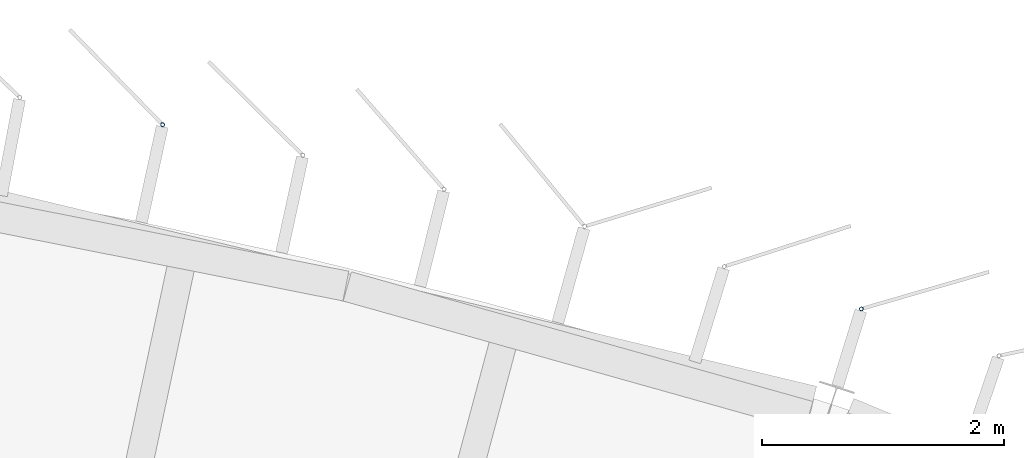
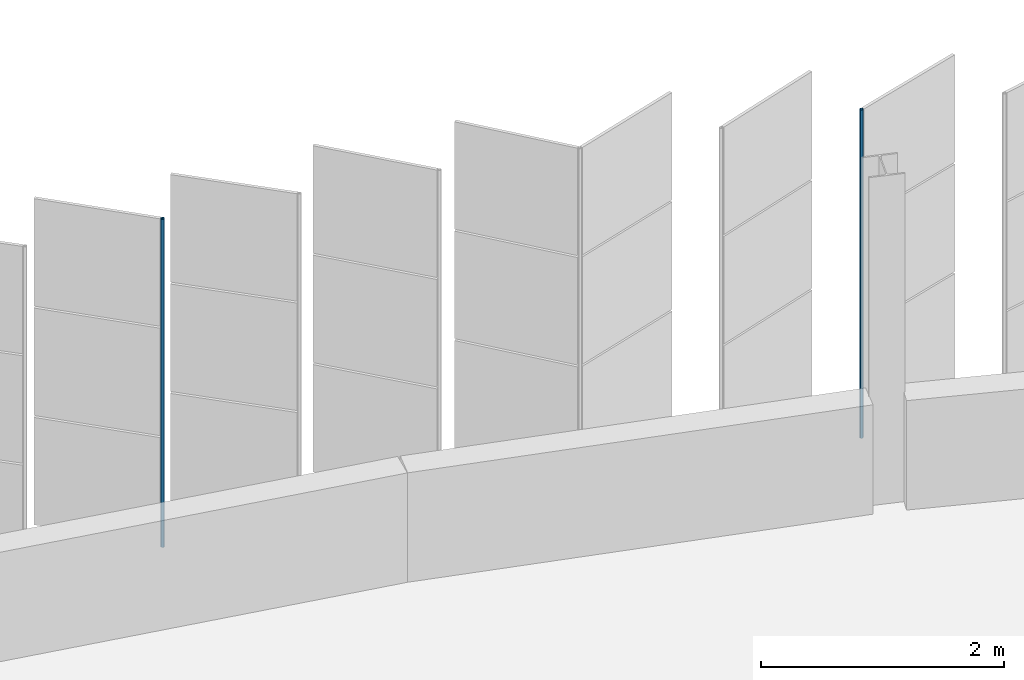
# One storey, part 158 of 199: 2 discrete accessories.
"""IFC4 building model written with IfcOpenShell, lengths in metres."""

from ifc_helpers import new_model, si_unit, direction, frame, origin, origin_2d, place, context, subcontext, project, spatial, hollow_circle, extrude, material, material_profile, profile_set, type_object, element, save


model = new_model("IFC4")

# Units and contexts
model_context = context("Model", 3, precision=1e-05, world=origin(), true_north=direction((0.0, 1.0)))
body_context = subcontext(model_context, "Body", "Model", "MODEL_VIEW")
ifc_project = project(units=[si_unit("LENGTHUNIT", "METRE"), si_unit("AREAUNIT", "SQUARE_METRE"), si_unit("VOLUMEUNIT", "CUBIC_METRE"), si_unit("PLANEANGLEUNIT", "RADIAN"), si_unit("MASSUNIT", "GRAM", prefix="KILO")], contexts=[model_context])

# Site, building, storey
site_placement = place(None, origin())
site = spatial("IfcSite", under=ifc_project, at=site_placement, CompositionType="ELEMENT")
building_placement = place(site_placement, origin())
building = spatial("IfcBuilding", under=site, at=building_placement, Name="Parallax Yard Mobility Hub", CompositionType="ELEMENT")
storey_placement = place(building_placement, frame((0.0, 0.0, 9.89990234375)))
storey = spatial("IfcBuildingStorey", under=building, at=storey_placement, Name="L03", CompositionType="ELEMENT", Elevation=9.89990234375)

# Discrete accessories
ifc_material = material(Name="Steel ASTM A500 Gr C, hot-dip galvanised", Category="steel")
ifc_material_profile = material_profile(ifc_material, hollow_circle(Radius=0.016845703125, WallThickness=0.003173828125, at=origin_2d()), Name="CHS 33.7x3.2")
ifc_profile_set = profile_set([ifc_material_profile], Name="Steel ASTM A500 Gr C, hot-dip galvanised")
discrete_accessory_type = type_object("IfcDiscreteAccessoryType", Name="Hinge post CHS 33.7x3.2", PredefinedType="BRACKET", material=ifc_profile_set)
for number, where, z_axis, x_axis, name in (
    (1, (188.970703125, 140.71630859375, 0.0), (0.0, 0.0, 1.0), (1.0, 0.0, 0.0), "Hinge post bay 49.1 level L03"),
    (2, (183.202392578125, 142.2373046875, 0.0), (0.0, 0.0, 1.0), (1.0, 0.0, 0.0), "Hinge post bay 49.6 level L03"),
):
    element("IfcDiscreteAccessory", number, at=place(storey_placement, frame(where, z_axis=z_axis, x_axis=x_axis)), inside=storey, type_object=discrete_accessory_type, Name=name, PredefinedType="BRACKET", context=body_context, shape_type="SweptSolid", body=[
        extrude(hollow_circle(Radius=0.016845703125, WallThickness=0.003173828125, at=origin_2d()), origin(), (0.0, 0.0, 1.0), 3.300048828125),
    ])

save(model, "model.ifc")
